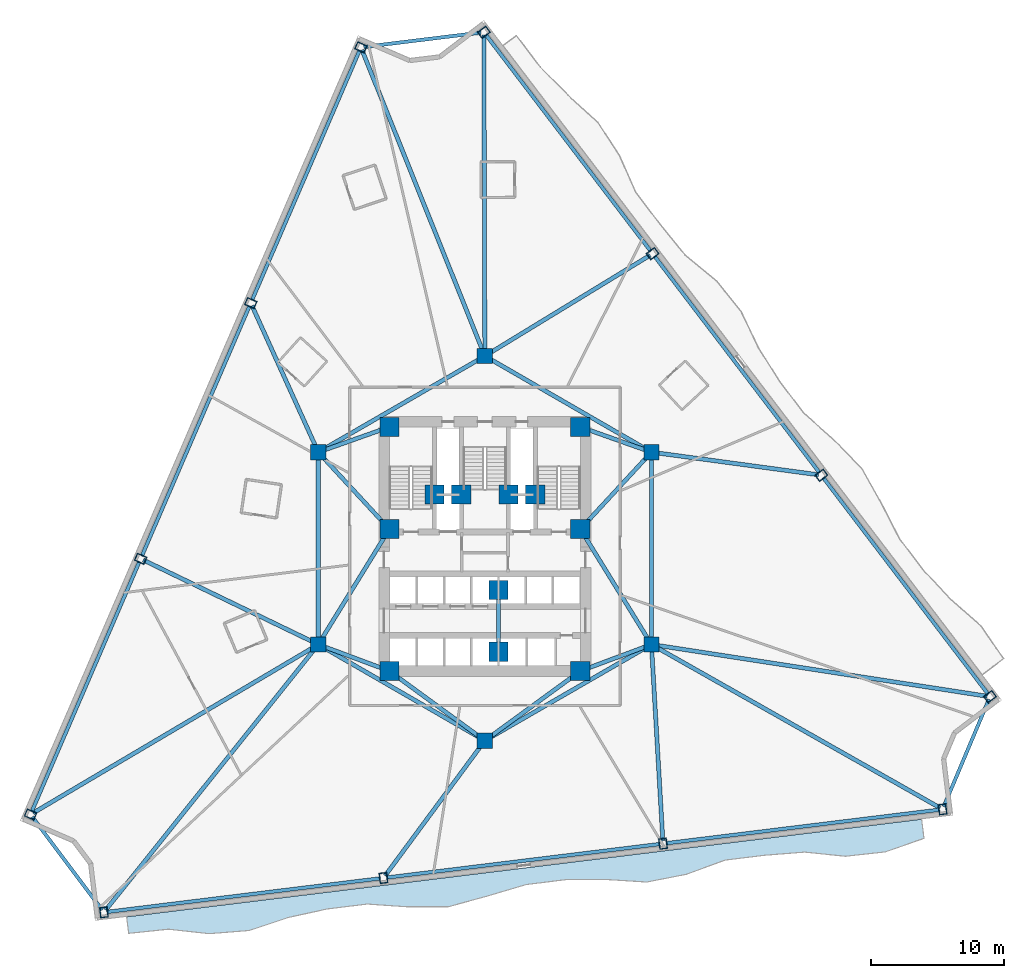
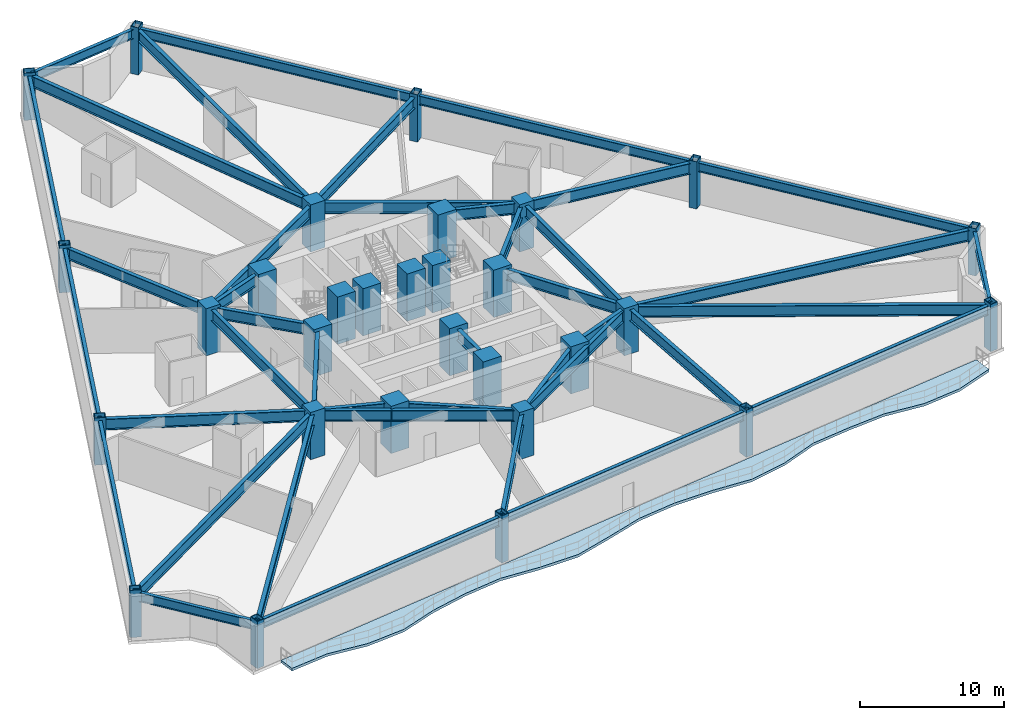
# One storey, part 1 of 10: 41 beams, 30 columns, 1 slab.
"""IFC4 building model written with IfcOpenShell, lengths in metres."""

from ifc_helpers import new_model, si_unit, direction, frame, origin, origin_2d, place, context, subcontext, project, spatial, polyline, rectangle, hollow_rectangle, i_section, outline, extrude, material, layer, layer_set, material_profile, profile_set, type_object, element, save


model = new_model("IFC4")

# Units and contexts
model_context = context("Model", 3, precision=1e-05, world=origin(), true_north=direction((0.0, 1.0)))
body_context = subcontext(model_context, "Body", "Model", "MODEL_VIEW")
ifc_project = project(units=[si_unit("LENGTHUNIT", "METRE"), si_unit("AREAUNIT", "SQUARE_METRE"), si_unit("VOLUMEUNIT", "CUBIC_METRE"), si_unit("PLANEANGLEUNIT", "RADIAN"), si_unit("MASSUNIT", "GRAM", prefix="KILO")], contexts=[model_context])

# Site, building, storey
site_placement = place(None, origin())
site = spatial("IfcSite", under=ifc_project, at=site_placement, CompositionType="ELEMENT")
building_placement = place(site_placement, origin())
building = spatial("IfcBuilding", under=site, at=building_placement, Name="Apsidion Concourse Tower", CompositionType="ELEMENT")
storey_placement = place(building_placement, frame((0.0, 0.0, 87.0)))
storey = spatial("IfcBuildingStorey", under=building, at=storey_placement, Name="L19", CompositionType="ELEMENT", Elevation=87.0)

# Columns
ifc_material_1 = material(Name="Structural steel ASTM A572 Grade 50", Category="steel")
ifc_material_profile_1 = material_profile(ifc_material_1, hollow_rectangle(XDim=0.60009765625, YDim=0.800048828125, WallThickness=0.050048828125, at=origin_2d()), Name="BOX800X600X50")
ifc_profile_set_1 = profile_set([ifc_material_profile_1], Name="Structural steel ASTM A572 Grade 50")
column_type_1 = type_object("IfcColumnType", Name="COL-BOX-800", PredefinedType="COLUMN", material=ifc_profile_set_1)
for number, where, z_axis, x_axis, name in (
    (1, (-9.34423828125, 37.77685546875, 0.0), (0.0, 0.0, 1.0), (0.395545502563, 0.918446381343, 0.0), "L19 Rotated Perimeter Column PC01"),
    (2, (-17.64794921875, 18.49462890625, 0.0), (0.0, 0.0, 1.0), (0.395545502563, 0.918446381343, 0.0), "L19 Rotated Perimeter Column PC02"),
    (3, (-25.95166015625, -0.787353515625, 0.0), (0.0, 0.0, 1.0), (0.395545502563, 0.918446381343, 0.0), "L19 Rotated Perimeter Column PC03"),
    (4, (-34.25537109375, -20.069580078125, 0.0), (0.0, 0.0, 1.0), (0.395545502563, 0.918446381343, 0.0), "L19 Rotated Perimeter Column PC04"),
    (5, (-28.72802734375, -27.4443359375, 0.0), (0.0, 0.0, 1.0), (0.992546151641, 0.121869343405, 0.0), "L19 Rotated Perimeter Column PC05"),
    (6, (-7.647216796875, -24.85595703125, 0.0), (0.0, 0.0, 1.0), (0.992546151641, 0.121869343405, 0.0), "L19 Rotated Perimeter Column PC06"),
    (7, (13.433349609375, -22.267578125, 0.0), (0.0, 0.0, 1.0), (0.992546151641, 0.121869343405, 0.0), "L19 Rotated Perimeter Column PC07"),
    (8, (34.51416015625, -19.67919921875, 0.0), (0.0, 0.0, 1.0), (0.992546151641, 0.121869343405, 0.0), "L19 Rotated Perimeter Column PC08"),
    (9, (38.093017578125, -11.186279296875, 0.0), (0.0, 0.0, 1.0), (-0.605988400266, 0.795473480855, 0.0), "L19 Rotated Perimeter Column PC09"),
    (10, (25.371337890625, 5.514404296875, 0.0), (0.0, 0.0, 1.0), (-0.605988400266, 0.795473480855, 0.0), "L19 Rotated Perimeter Column PC10"),
    (11, (12.6494140625, 22.214599609375, 0.0), (0.0, 0.0, 1.0), (-0.605988400266, 0.795473480855, 0.0), "L19 Rotated Perimeter Column PC11"),
    (12, (-0.072265625, 38.915283203125, 0.0), (0.0, 0.0, 1.0), (-0.605988400266, 0.795473480855, 0.0), "L19 Rotated Perimeter Column PC12"),
):
    element("IfcColumn", number, at=place(storey_placement, frame(where, z_axis=z_axis, x_axis=x_axis)), inside=storey, type_object=column_type_1, Name=name, PredefinedType="COLUMN", context=body_context, shape_type="SweptSolid", body=[
        extrude(hollow_rectangle(XDim=0.60009765625, YDim=0.800048828125, WallThickness=0.050048828125, at=origin_2d()), origin(), (0.0, 0.0, 1.0), 4.0),
    ])
ifc_material_2 = material(Name="Concrete C50/60", Category="concrete")
ifc_material_profile_2 = material_profile(ifc_material_2, rectangle(XDim=1.14990234375, YDim=1.14990234375, at=origin_2d()), Name="RC 1150x1150")
ifc_profile_set_2 = profile_set([ifc_material_profile_2], Name="Concrete C50/60")
column_type_2 = type_object("IfcColumnType", Name="COL-RC-1150", PredefinedType="COLUMN", material=ifc_profile_set_2)
for number, where, z_axis, x_axis, name in (
    (13, (-12.56005859375, -7.25, 0.0), (0.0, 0.0, 1.0), (1.0, 0.0, 0.0), "L19 Interior Spine Column IC1"),
    (14, (12.56005859375, -7.25, 0.0), (0.0, 0.0, 1.0), (1.0, 0.0, 0.0), "L19 Interior Spine Column IC2"),
    (15, (12.56005859375, 7.25, 0.0), (0.0, 0.0, 1.0), (1.0, 0.0, 0.0), "L19 Interior Spine Column IC3"),
    (16, (0.0, 14.5, 0.0), (0.0, 0.0, 1.0), (1.0, 0.0, 0.0), "L19 Interior Spine Column IC4"),
    (17, (-12.56005859375, 7.25, 0.0), (0.0, 0.0, 1.0), (1.0, 0.0, 0.0), "L19 Interior Spine Column IC5"),
    (18, (0.0, -14.5, 0.0), (0.0, 0.0, 1.0), (1.0, 0.0, 0.0), "L19 Interior Spine Column IC6"),
):
    element("IfcColumn", number, at=place(storey_placement, frame(where, z_axis=z_axis, x_axis=x_axis)), inside=storey, type_object=column_type_2, Name=name, PredefinedType="COLUMN", context=body_context, shape_type="SweptSolid", body=[
        extrude(rectangle(XDim=1.14990234375, YDim=1.14990234375, at=origin_2d()), origin(), (0.0, 0.0, 1.0), 4.0),
    ])
ifc_material_3 = material(Name="Concrete C60/75", Category="concrete")
ifc_material_profile_3 = material_profile(ifc_material_3, rectangle(XDim=1.449951171875, YDim=1.449951171875, at=origin_2d()), Name="RC 1450x1450")
ifc_profile_set_3 = profile_set([ifc_material_profile_3], Name="Concrete C60/75")
column_type_3 = type_object("IfcColumnType", Name="COL-RC-1450", PredefinedType="COLUMN", material=ifc_profile_set_3)
for number, where, z_axis, x_axis, name in (
    (19, (-7.199951171875, -9.25, 0.0), (0.0, 0.0, 1.0), (1.0, 0.0, 0.0), "L19 Core Super-Column SC1"),
    (20, (7.199951171875, -9.25, 0.0), (0.0, 0.0, 1.0), (1.0, 0.0, 0.0), "L19 Core Super-Column SC2"),
    (21, (7.199951171875, 1.449951171875, 0.0), (0.0, 0.0, 1.0), (1.0, 0.0, 0.0), "L19 Core Super-Column SC3"),
    (22, (7.199951171875, 9.14990234375, 0.0), (0.0, 0.0, 1.0), (1.0, 0.0, 0.0), "L19 Core Super-Column SC4"),
    (23, (-7.199951171875, 9.14990234375, 0.0), (0.0, 0.0, 1.0), (1.0, 0.0, 0.0), "L19 Core Super-Column SC5"),
    (24, (-7.199951171875, 1.449951171875, 0.0), (0.0, 0.0, 1.0), (1.0, 0.0, 0.0), "L19 Core Super-Column SC6"),
    (25, (-3.800048828125, 4.050048828125, 0.0), (0.0, 0.0, 1.0), (1.0, 0.0, 0.0), "L19 Core Super-Column CC1"),
    (26, (3.800048828125, 4.050048828125, 0.0), (0.0, 0.0, 1.0), (1.0, 0.0, 0.0), "L19 Core Super-Column CC2"),
    (27, (-1.77490234375, 4.050048828125, 0.0), (0.0, 0.0, 1.0), (1.0, 0.0, 0.0), "L19 Core Super-Column CC3"),
    (28, (1.77490234375, 4.050048828125, 0.0), (0.0, 0.0, 1.0), (1.0, 0.0, 0.0), "L19 Core Super-Column CC4"),
    (29, (1.02490234375, -3.14990234375, 0.0), (0.0, 0.0, 1.0), (1.0, 0.0, 0.0), "L19 Core Super-Column CC5"),
    (30, (1.02490234375, -7.800048828125, 0.0), (0.0, 0.0, 1.0), (1.0, 0.0, 0.0), "L19 Core Super-Column CC6"),
):
    element("IfcColumn", number, at=place(storey_placement, frame(where, z_axis=z_axis, x_axis=x_axis)), inside=storey, type_object=column_type_3, Name=name, PredefinedType="COLUMN", context=body_context, shape_type="SweptSolid", body=[
        extrude(rectangle(XDim=1.449951171875, YDim=1.449951171875, at=origin_2d()), origin(), (0.0, 0.0, 1.0), 4.0),
    ])

# Beams
ifc_material_4 = material(Name="Structural steel ASTM A992 Grade 50", Category="steel")
ifc_material_profile_4 = material_profile(ifc_material_4, i_section(OverallWidth=0.31005859375, OverallDepth=0.931884765625, WebThickness=0.02099609375, FlangeThickness=0.034423828125, at=origin_2d()), Name="W36X210")
ifc_profile_set_4 = profile_set([ifc_material_profile_4], Name="Structural steel ASTM A992 Grade 50")
beam_type_1 = type_object("IfcBeamType", Name="BM-G-W36", PredefinedType="USERDEFINED", material=ifc_profile_set_4)
beam_1_placement = place(storey_placement, frame((-12.185302734375, -7.389892578125, 3.283935546875), z_axis=(0.936913021145, -0.349562570664, 0.0), x_axis=(0.349562570664, 0.936913021145, 0.0)))
element("IfcBeam", 31, at=beam_1_placement, inside=storey, type_object=beam_type_1, Name="L19 Core Coupling Girder IC1-SC1", ObjectType="GIRDER", PredefinedType="USERDEFINED", context=body_context, shape_type="SweptSolid", body=[
    extrude(i_section(OverallWidth=0.31005859375, OverallDepth=0.931884765625, WebThickness=0.02099609375, FlangeThickness=0.034423828125, at=origin_2d()), origin(), (0.0, 0.0, 1.0), 4.921142578125),
])
beam_2_placement = place(storey_placement, frame((-12.35009765625, -6.909423828125, 3.283935546875), z_axis=(0.524524009763, 0.851395656074, 0.0), x_axis=(-0.851395656074, 0.524524009763, 0.0)))
element("IfcBeam", 32, at=beam_2_placement, inside=storey, type_object=beam_type_1, Name="L19 Core Coupling Girder IC1-SC6", ObjectType="GIRDER", PredefinedType="USERDEFINED", context=body_context, shape_type="SweptSolid", body=[
    extrude(i_section(OverallWidth=0.31005859375, OverallDepth=0.931884765625, WebThickness=0.02099609375, FlangeThickness=0.034423828125, at=origin_2d()), origin(), (0.0, 0.0, 1.0), 9.41845703125),
])
beam_3_placement = place(storey_placement, frame((12.185302734375, -7.389892578125, 3.283935546875), z_axis=(-0.936913021145, -0.349562570664, 0.0), x_axis=(0.349562570664, -0.936913021145, 0.0)))
element("IfcBeam", 33, at=beam_3_placement, inside=storey, type_object=beam_type_1, Name="L19 Core Coupling Girder IC2-SC2", ObjectType="GIRDER", PredefinedType="USERDEFINED", context=body_context, shape_type="SweptSolid", body=[
    extrude(i_section(OverallWidth=0.31005859375, OverallDepth=0.931884765625, WebThickness=0.02099609375, FlangeThickness=0.034423828125, at=origin_2d()), origin(), (0.0, 0.0, 1.0), 4.921142578125),
])
beam_4_placement = place(storey_placement, frame((12.35009765625, -6.909423828125, 3.283935546875), z_axis=(-0.524524009763, 0.851395656074, 0.0), x_axis=(-0.851395656074, -0.524524009763, 0.0)))
element("IfcBeam", 34, at=beam_4_placement, inside=storey, type_object=beam_type_1, Name="L19 Core Coupling Girder IC2-SC3", ObjectType="GIRDER", PredefinedType="USERDEFINED", context=body_context, shape_type="SweptSolid", body=[
    extrude(i_section(OverallWidth=0.31005859375, OverallDepth=0.931884765625, WebThickness=0.02099609375, FlangeThickness=0.034423828125, at=origin_2d()), origin(), (0.0, 0.0, 1.0), 9.41845703125),
])
beam_5_placement = place(storey_placement, frame((12.28857421875, 6.956298828125, 3.283935546875), z_axis=(-0.678712876106, -0.73440372535, 0.0), x_axis=(0.73440372535, -0.678712876106, 0.0)))
element("IfcBeam", 35, at=beam_5_placement, inside=storey, type_object=beam_type_1, Name="L19 Core Coupling Girder IC3-SC3", ObjectType="GIRDER", PredefinedType="USERDEFINED", context=body_context, shape_type="SweptSolid", body=[
    extrude(i_section(OverallWidth=0.31005859375, OverallDepth=0.931884765625, WebThickness=0.02099609375, FlangeThickness=0.034423828125, at=origin_2d()), origin(), (0.0, 0.0, 1.0), 7.097412109375),
])
beam_6_placement = place(storey_placement, frame((12.18310546875, 7.383544921875, 3.283935546875), z_axis=(-0.942533844539, 0.334110688094, 0.0), x_axis=(-0.334110688094, -0.942533844539, 0.0)))
element("IfcBeam", 36, at=beam_6_placement, inside=storey, type_object=beam_type_1, Name="L19 Core Coupling Girder IC3-SC4", ObjectType="GIRDER", PredefinedType="USERDEFINED", context=body_context, shape_type="SweptSolid", body=[
    extrude(i_section(OverallWidth=0.31005859375, OverallDepth=0.931884765625, WebThickness=0.02099609375, FlangeThickness=0.034423828125, at=origin_2d()), origin(), (0.0, 0.0, 1.0), 4.886962890625),
])
beam_7_placement = place(storey_placement, frame((-12.28857421875, 6.956298828125, 3.283935546875), z_axis=(0.678712876106, -0.73440372535, 0.0), x_axis=(0.73440372535, 0.678712876106, 0.0)))
element("IfcBeam", 37, at=beam_7_placement, inside=storey, type_object=beam_type_1, Name="L19 Core Coupling Girder IC5-SC6", ObjectType="GIRDER", PredefinedType="USERDEFINED", context=body_context, shape_type="SweptSolid", body=[
    extrude(i_section(OverallWidth=0.31005859375, OverallDepth=0.931884765625, WebThickness=0.02099609375, FlangeThickness=0.034423828125, at=origin_2d()), origin(), (0.0, 0.0, 1.0), 7.097412109375),
])
beam_8_placement = place(storey_placement, frame((-12.18310546875, 7.383544921875, 3.283935546875), z_axis=(0.942533844539, 0.334110688094, 0.0), x_axis=(-0.334110688094, 0.942533844539, 0.0)))
element("IfcBeam", 38, at=beam_8_placement, inside=storey, type_object=beam_type_1, Name="L19 Core Coupling Girder IC5-SC5", ObjectType="GIRDER", PredefinedType="USERDEFINED", context=body_context, shape_type="SweptSolid", body=[
    extrude(i_section(OverallWidth=0.31005859375, OverallDepth=0.931884765625, WebThickness=0.02099609375, FlangeThickness=0.034423828125, at=origin_2d()), origin(), (0.0, 0.0, 1.0), 4.886962890625),
])
for number, where, z_axis, x_axis, name in (
    (39, (-0.3232421875, -14.264404296875, 3.283935546875), (-0.807993498909, 0.589191399905, 0.0), (-0.589191399905, -0.807993498909, 0.0), "L19 Core Coupling Girder IC6-SC1"),
    (40, (0.3232421875, -14.264404296875, 3.283935546875), (0.807993498909, 0.589191399905, 0.0), (-0.589191399905, 0.807993498909, 0.0), "L19 Core Coupling Girder IC6-SC2"),
):
    element("IfcBeam", number, at=place(storey_placement, frame(where, z_axis=z_axis, x_axis=x_axis)), inside=storey, type_object=beam_type_1, Name=name, ObjectType="GIRDER", PredefinedType="USERDEFINED", context=body_context, shape_type="SweptSolid", body=[
        extrude(i_section(OverallWidth=0.31005859375, OverallDepth=0.931884765625, WebThickness=0.02099609375, FlangeThickness=0.034423828125, at=origin_2d()), origin(), (0.0, 0.0, 1.0), 8.11083984375),
    ])
beam_9_placement = place(storey_placement, frame((-12.56005859375, -6.85009765625, 3.283935546875), z_axis=(0.0, 1.0, 0.0), x_axis=(-1.0, 0.0, 0.0)))
element("IfcBeam", 41, at=beam_9_placement, inside=storey, type_object=beam_type_1, Name="L19 Core Coupling Girder IC1-IC5", ObjectType="GIRDER", PredefinedType="USERDEFINED", context=body_context, shape_type="SweptSolid", body=[
    extrude(i_section(OverallWidth=0.31005859375, OverallDepth=0.931884765625, WebThickness=0.02099609375, FlangeThickness=0.034423828125, at=origin_2d()), origin(), (0.0, 0.0, 1.0), 13.7001953125),
])
for number, where, z_axis, x_axis, name in (
    (42, (-12.213623046875, 7.449951171875, 3.283935546875), (0.866070471464, 0.499921932364, 0.0), (-0.499921932364, 0.866070471464, 0.0), "L19 Core Coupling Girder IC5-IC4"),
    (43, (0.346435546875, 14.300048828125, 3.283935546875), (0.866070471464, -0.499921932364, 0.0), (0.499921932364, 0.866070471464, 0.0), "L19 Core Coupling Girder IC4-IC3"),
):
    element("IfcBeam", number, at=place(storey_placement, frame(where, z_axis=z_axis, x_axis=x_axis)), inside=storey, type_object=beam_type_1, Name=name, ObjectType="GIRDER", PredefinedType="USERDEFINED", context=body_context, shape_type="SweptSolid", body=[
        extrude(i_section(OverallWidth=0.31005859375, OverallDepth=0.931884765625, WebThickness=0.02099609375, FlangeThickness=0.034423828125, at=origin_2d()), origin(), (0.0, 0.0, 1.0), 13.702392578125),
    ])
beam_10_placement = place(storey_placement, frame((12.56005859375, 6.85009765625, 3.283935546875), z_axis=(0.0, -1.0, 0.0), x_axis=(1.0, 0.0, 0.0)))
element("IfcBeam", 44, at=beam_10_placement, inside=storey, type_object=beam_type_1, Name="L19 Core Coupling Girder IC3-IC2", ObjectType="GIRDER", PredefinedType="USERDEFINED", context=body_context, shape_type="SweptSolid", body=[
    extrude(i_section(OverallWidth=0.31005859375, OverallDepth=0.931884765625, WebThickness=0.02099609375, FlangeThickness=0.034423828125, at=origin_2d()), origin(), (0.0, 0.0, 1.0), 13.7001953125),
])
for number, where, z_axis, x_axis, name in (
    (45, (12.213623046875, -7.449951171875, 3.283935546875), (-0.866070471464, -0.499921932364, 0.0), (0.499921932364, -0.866070471464, 0.0), "L19 Core Coupling Girder IC2-IC6"),
    (46, (-0.346435546875, -14.300048828125, 3.283935546875), (-0.866070471464, 0.499921932364, 0.0), (-0.499921932364, -0.866070471464, 0.0), "L19 Core Coupling Girder IC6-IC1"),
):
    element("IfcBeam", number, at=place(storey_placement, frame(where, z_axis=z_axis, x_axis=x_axis)), inside=storey, type_object=beam_type_1, Name=name, ObjectType="GIRDER", PredefinedType="USERDEFINED", context=body_context, shape_type="SweptSolid", body=[
        extrude(i_section(OverallWidth=0.31005859375, OverallDepth=0.931884765625, WebThickness=0.02099609375, FlangeThickness=0.034423828125, at=origin_2d()), origin(), (0.0, 0.0, 1.0), 13.702392578125),
    ])
beam_11_placement = place(storey_placement, frame((1.02490234375, -3.550048828125, 3.283935546875), z_axis=(0.0, -1.0, 0.0), x_axis=(1.0, 0.0, 0.0)))
element("IfcBeam", 47, at=beam_11_placement, inside=storey, type_object=beam_type_1, Name="L19 Core Coupling Girder CC5-CC6", ObjectType="GIRDER", PredefinedType="USERDEFINED", context=body_context, shape_type="SweptSolid", body=[
    extrude(i_section(OverallWidth=0.31005859375, OverallDepth=0.931884765625, WebThickness=0.02099609375, FlangeThickness=0.034423828125, at=origin_2d()), origin(), (0.0, 0.0, 1.0), 3.849853515625),
])
beam_12_placement = place(storey_placement, frame((-0.08203125, 14.7041015625, 3.283935546875), z_axis=(-0.372538285094, 0.928016824276, 0.0), x_axis=(-0.928016824276, -0.372538285094, 0.0)))
element("IfcBeam", 48, at=beam_12_placement, inside=storey, type_object=beam_type_1, Name="L19 Radial Floor Girder RAD-01", ObjectType="GIRDER", PredefinedType="USERDEFINED", context=body_context, shape_type="SweptSolid", body=[
    extrude(i_section(OverallWidth=0.31005859375, OverallDepth=0.931884765625, WebThickness=0.02099609375, FlangeThickness=0.034423828125, at=origin_2d()), origin(), (0.0, 0.0, 1.0), 24.642333984375),
])
beam_13_placement = place(storey_placement, frame((-12.650634765625, 7.450439453125, 3.283935546875), z_axis=(-0.412253816474, 0.911069037342, 0.0), x_axis=(-0.911069037342, -0.412253816474, 0.0)))
element("IfcBeam", 49, at=beam_13_placement, inside=storey, type_object=beam_type_1, Name="L19 Radial Floor Girder RAD-02", ObjectType="GIRDER", PredefinedType="USERDEFINED", context=body_context, shape_type="SweptSolid", body=[
    extrude(i_section(OverallWidth=0.31005859375, OverallDepth=0.931884765625, WebThickness=0.02099609375, FlangeThickness=0.034423828125, at=origin_2d()), origin(), (0.0, 0.0, 1.0), 11.90234375),
])
beam_14_placement = place(storey_placement, frame((-12.758056640625, -7.154296875, 3.283935546875), z_axis=(-0.900619466143, 0.434608533286, 0.0), x_axis=(-0.434608533286, -0.900619466143, 0.0)))
element("IfcBeam", 50, at=beam_14_placement, inside=storey, type_object=beam_type_1, Name="L19 Radial Floor Girder RAD-03", ObjectType="GIRDER", PredefinedType="USERDEFINED", context=body_context, shape_type="SweptSolid", body=[
    extrude(i_section(OverallWidth=0.31005859375, OverallDepth=0.931884765625, WebThickness=0.02099609375, FlangeThickness=0.034423828125, at=origin_2d()), origin(), (0.0, 0.0, 1.0), 14.4296875),
])
beam_15_placement = place(storey_placement, frame((-12.74951171875, -7.36181640625, 3.283935546875), z_axis=(-0.860932809824, -0.508718681561, 0.0), x_axis=(0.508718681561, -0.860932809824, 0.0)))
element("IfcBeam", 51, at=beam_15_placement, inside=storey, type_object=beam_type_1, Name="L19 Radial Floor Girder RAD-04", ObjectType="GIRDER", PredefinedType="USERDEFINED", context=body_context, shape_type="SweptSolid", body=[
    extrude(i_section(OverallWidth=0.31005859375, OverallDepth=0.931884765625, WebThickness=0.02099609375, FlangeThickness=0.034423828125, at=origin_2d()), origin(), (0.0, 0.0, 1.0), 24.759765625),
])
beam_16_placement = place(storey_placement, frame((-12.697509765625, -7.421630859375, 3.283935546875), z_axis=(-0.624987708563, -0.780634590667, 0.0), x_axis=(0.780634590667, -0.624987708563, 0.0)))
element("IfcBeam", 52, at=beam_16_placement, inside=storey, type_object=beam_type_1, Name="L19 Radial Floor Girder RAD-05", ObjectType="GIRDER", PredefinedType="USERDEFINED", context=body_context, shape_type="SweptSolid", body=[
    extrude(i_section(OverallWidth=0.31005859375, OverallDepth=0.931884765625, WebThickness=0.02099609375, FlangeThickness=0.034423828125, at=origin_2d()), origin(), (0.0, 0.0, 1.0), 25.429443359375),
])
beam_17_placement = place(storey_placement, frame((-0.130615234375, -14.677001953125, 3.283935546875), z_axis=(-0.594039313688, -0.804436009757, 0.0), x_axis=(0.804436009757, -0.594039313688, 0.0)))
element("IfcBeam", 53, at=beam_17_placement, inside=storey, type_object=beam_type_1, Name="L19 Radial Floor Girder RAD-06", ObjectType="GIRDER", PredefinedType="USERDEFINED", context=body_context, shape_type="SweptSolid", body=[
    extrude(i_section(OverallWidth=0.31005859375, OverallDepth=0.931884765625, WebThickness=0.02099609375, FlangeThickness=0.034423828125, at=origin_2d()), origin(), (0.0, 0.0, 1.0), 12.43359375),
])
beam_18_placement = place(storey_placement, frame((12.57275390625, -7.469482421875, 3.283935546875), z_axis=(0.058062445762, -0.998312953133, 0.0), x_axis=(0.998312953133, 0.058062445762, 0.0)))
element("IfcBeam", 54, at=beam_18_placement, inside=storey, type_object=beam_type_1, Name="L19 Radial Floor Girder RAD-07", ObjectType="GIRDER", PredefinedType="USERDEFINED", context=body_context, shape_type="SweptSolid", body=[
    extrude(i_section(OverallWidth=0.31005859375, OverallDepth=0.931884765625, WebThickness=0.02099609375, FlangeThickness=0.034423828125, at=origin_2d()), origin(), (0.0, 0.0, 1.0), 14.603271484375),
])
beam_19_placement = place(storey_placement, frame((12.75146484375, -7.3583984375, 3.283935546875), z_axis=(0.870218136179, -0.492666616958, 0.0), x_axis=(0.492666616958, 0.870218136179, 0.0)))
element("IfcBeam", 55, at=beam_19_placement, inside=storey, type_object=beam_type_1, Name="L19 Radial Floor Girder RAD-08", ObjectType="GIRDER", PredefinedType="USERDEFINED", context=body_context, shape_type="SweptSolid", body=[
    extrude(i_section(OverallWidth=0.31005859375, OverallDepth=0.931884765625, WebThickness=0.02099609375, FlangeThickness=0.034423828125, at=origin_2d()), origin(), (0.0, 0.0, 1.0), 24.788330078125),
])
beam_20_placement = place(storey_placement, frame((12.77734375, -7.283447265625, 3.283935546875), z_axis=(0.98832519419, -0.152359149806, 0.0), x_axis=(0.152359149806, 0.98832519419, 0.0)))
element("IfcBeam", 56, at=beam_20_placement, inside=storey, type_object=beam_type_1, Name="L19 Radial Floor Girder RAD-09", ObjectType="GIRDER", PredefinedType="USERDEFINED", context=body_context, shape_type="SweptSolid", body=[
    extrude(i_section(OverallWidth=0.31005859375, OverallDepth=0.931884765625, WebThickness=0.02099609375, FlangeThickness=0.034423828125, at=origin_2d()), origin(), (0.0, 0.0, 1.0), 25.394775390625),
])
beam_21_placement = place(storey_placement, frame((12.778076171875, 7.220458984375, 3.283935546875), z_axis=(0.990945318587, -0.134266062618, 0.0), x_axis=(0.134266062618, 0.990945318587, 0.0)))
element("IfcBeam", 57, at=beam_21_placement, inside=storey, type_object=beam_type_1, Name="L19 Radial Floor Girder RAD-10", ObjectType="GIRDER", PredefinedType="USERDEFINED", context=body_context, shape_type="SweptSolid", body=[
    extrude(i_section(OverallWidth=0.31005859375, OverallDepth=0.931884765625, WebThickness=0.02099609375, FlangeThickness=0.034423828125, at=origin_2d()), origin(), (0.0, 0.0, 1.0), 12.48828125),
])
beam_22_placement = place(storey_placement, frame((0.187744140625, 14.614501953125, 3.283935546875), z_axis=(0.853749961822, 0.520683207611, 0.0), x_axis=(-0.520683207611, 0.853749961822, 0.0)))
element("IfcBeam", 58, at=beam_22_placement, inside=storey, type_object=beam_type_1, Name="L19 Radial Floor Girder RAD-11", ObjectType="GIRDER", PredefinedType="USERDEFINED", context=body_context, shape_type="SweptSolid", body=[
    extrude(i_section(OverallWidth=0.31005859375, OverallDepth=0.931884765625, WebThickness=0.02099609375, FlangeThickness=0.034423828125, at=origin_2d()), origin(), (0.0, 0.0, 1.0), 14.37646484375),
])
beam_23_placement = place(storey_placement, frame((-0.000732421875, 14.719970703125, 3.283935546875), z_axis=(-0.002953053731, 0.999995639727, 0.0), x_axis=(-0.999995639727, -0.002953053731, 0.0)))
element("IfcBeam", 59, at=beam_23_placement, inside=storey, type_object=beam_type_1, Name="L19 Radial Floor Girder RAD-12", ObjectType="GIRDER", PredefinedType="USERDEFINED", context=body_context, shape_type="SweptSolid", body=[
    extrude(i_section(OverallWidth=0.31005859375, OverallDepth=0.931884765625, WebThickness=0.02099609375, FlangeThickness=0.034423828125, at=origin_2d()), origin(), (0.0, 0.0, 1.0), 23.975341796875),
])
ifc_material_profile_5 = material_profile(ifc_material_4, i_section(OverallWidth=0.26806640625, OverallDepth=0.77001953125, WebThickness=0.015625, FlangeThickness=0.025390625, at=origin_2d()), Name="W30X132")
ifc_profile_set_5 = profile_set([ifc_material_profile_5], Name="Structural steel ASTM A992 Grade 50")
beam_type_2 = type_object("IfcBeamType", Name="BM-SP-W30", PredefinedType="SPANDREL", material=ifc_profile_set_5)
beam_24_placement = place(storey_placement, frame((-9.431396484375, 37.57470703125, 3.364990234375), z_axis=(-0.395525708749, -0.918454905653, 0.0), x_axis=(0.918454905653, -0.395525708749, 0.0)))
element("IfcBeam", 60, at=beam_24_placement, inside=storey, type_object=beam_type_2, Name="L19 Perimeter Spandrel Girder SP-01", PredefinedType="SPANDREL", context=body_context, shape_type="SweptSolid", body=[
    extrude(i_section(OverallWidth=0.26806640625, OverallDepth=0.77001953125, WebThickness=0.015625, FlangeThickness=0.025390625, at=origin_2d()), origin(), (0.0, 0.0, 1.0), 20.553955078125),
])
beam_25_placement = place(storey_placement, frame((-17.735107421875, 18.29248046875, 3.364990234375), z_axis=(-0.395530023745, -0.918453047421, 0.0), x_axis=(0.918453047421, -0.395530023745, 0.0)))
element("IfcBeam", 61, at=beam_25_placement, inside=storey, type_object=beam_type_2, Name="L19 Perimeter Spandrel Girder SP-02", PredefinedType="SPANDREL", context=body_context, shape_type="SweptSolid", body=[
    extrude(i_section(OverallWidth=0.26806640625, OverallDepth=0.77001953125, WebThickness=0.015625, FlangeThickness=0.025390625, at=origin_2d()), origin(), (0.0, 0.0, 1.0), 20.5537109375),
])
beam_26_placement = place(storey_placement, frame((-26.038818359375, -0.989501953125, 3.364990234375), z_axis=(-0.395525708749, -0.918454905653, 0.0), x_axis=(0.918454905653, -0.395525708749, 0.0)))
element("IfcBeam", 62, at=beam_26_placement, inside=storey, type_object=beam_type_2, Name="L19 Perimeter Spandrel Girder SP-03", PredefinedType="SPANDREL", context=body_context, shape_type="SweptSolid", body=[
    extrude(i_section(OverallWidth=0.26806640625, OverallDepth=0.77001953125, WebThickness=0.015625, FlangeThickness=0.025390625, at=origin_2d()), origin(), (0.0, 0.0, 1.0), 20.553955078125),
])
beam_27_placement = place(storey_placement, frame((-34.12353515625, -20.24560546875, 3.364990234375), z_axis=(0.59973736177, -0.800196911327, 0.0), x_axis=(0.800196911327, 0.59973736177, 0.0)))
element("IfcBeam", 63, at=beam_27_placement, inside=storey, type_object=beam_type_2, Name="L19 Perimeter Spandrel Girder SP-04", PredefinedType="SPANDREL", context=body_context, shape_type="SweptSolid", body=[
    extrude(i_section(OverallWidth=0.26806640625, OverallDepth=0.77001953125, WebThickness=0.015625, FlangeThickness=0.025390625, at=origin_2d()), origin(), (0.0, 0.0, 1.0), 8.776123046875),
])
for number, where, z_axis, x_axis, name in (
    (64, (-28.509765625, -27.41748046875, 3.364990234375), (0.992546743565, 0.121864522478, 0.0), (-0.121864522478, 0.992546743565, 0.0), "L19 Perimeter Spandrel Girder SP-05"),
    (65, (-7.428955078125, -24.8291015625, 3.364990234375), (0.992546743565, 0.121864522478, 0.0), (-0.121864522478, 0.992546743565, 0.0), "L19 Perimeter Spandrel Girder SP-06"),
    (66, (13.65185546875, -22.24072265625, 3.364990234375), (0.992546743565, 0.121864522478, 0.0), (-0.121864522478, 0.992546743565, 0.0), "L19 Perimeter Spandrel Girder SP-07"),
):
    element("IfcBeam", number, at=place(storey_placement, frame(where, z_axis=z_axis, x_axis=x_axis)), inside=storey, type_object=beam_type_2, Name=name, PredefinedType="SPANDREL", context=body_context, shape_type="SweptSolid", body=[
        extrude(i_section(OverallWidth=0.26806640625, OverallDepth=0.77001953125, WebThickness=0.015625, FlangeThickness=0.025390625, at=origin_2d()), origin(), (0.0, 0.0, 1.0), 20.799072265625),
    ])
beam_28_placement = place(storey_placement, frame((34.599609375, -19.4765625, 3.364990234375), z_axis=(0.388335552383, 0.921518040385, 0.0), x_axis=(-0.921518040385, 0.388335552383, 0.0)))
element("IfcBeam", 67, at=beam_28_placement, inside=storey, type_object=beam_type_2, Name="L19 Perimeter Spandrel Girder SP-08", PredefinedType="SPANDREL", context=body_context, shape_type="SweptSolid", body=[
    extrude(i_section(OverallWidth=0.26806640625, OverallDepth=0.77001953125, WebThickness=0.015625, FlangeThickness=0.025390625, at=origin_2d()), origin(), (0.0, 0.0, 1.0), 8.7763671875),
])
for number, where, z_axis, x_axis, name in (
    (68, (37.959716796875, -11.01123046875, 3.364990234375), (-0.605965911945, 0.795490611862, 0.0), (-0.795490611862, -0.605965911945, 0.0), "L19 Perimeter Spandrel Girder SP-09"),
    (69, (25.238037109375, 5.689208984375, 3.364990234375), (-0.605973428299, 0.795484886215, 0.0), (-0.795484886215, -0.605973428299, 0.0), "L19 Perimeter Spandrel Girder SP-10"),
    (70, (12.51611328125, 22.3896484375, 3.364990234375), (-0.605965911945, 0.795490611862, 0.0), (-0.795490611862, -0.605965911945, 0.0), "L19 Perimeter Spandrel Girder SP-11"),
):
    element("IfcBeam", number, at=place(storey_placement, frame(where, z_axis=z_axis, x_axis=x_axis)), inside=storey, type_object=beam_type_2, Name=name, PredefinedType="SPANDREL", context=body_context, shape_type="SweptSolid", body=[
        extrude(i_section(OverallWidth=0.26806640625, OverallDepth=0.77001953125, WebThickness=0.015625, FlangeThickness=0.025390625, at=origin_2d()), origin(), (0.0, 0.0, 1.0), 20.55419921875),
    ])
beam_29_placement = place(storey_placement, frame((-0.290771484375, 38.888427734375, 3.364990234375), z_axis=(-0.992547646047, -0.121857171831, 0.0), x_axis=(0.121857171831, -0.992547646047, 0.0)))
element("IfcBeam", 71, at=beam_29_placement, inside=storey, type_object=beam_type_2, Name="L19 Perimeter Spandrel Girder SP-12", PredefinedType="SPANDREL", context=body_context, shape_type="SweptSolid", body=[
    extrude(i_section(OverallWidth=0.26806640625, OverallDepth=0.77001953125, WebThickness=0.015625, FlangeThickness=0.025390625, at=origin_2d()), origin(), (0.0, 0.0, 1.0), 8.901611328125),
])

# Slab
ifc_layer = layer(ifc_material_2, 0.219970703125)
ifc_layer_set = layer_set([ifc_layer], Name="Concrete C50/60")
slab_type = type_object("IfcSlabType", Name="SL-BAL-220", PredefinedType="FLOOR", material=ifc_layer_set)
slab_placement = place(storey_placement, frame((0.0, 0.0, -0.219970703125)))
element("IfcSlab", 72, at=slab_placement, inside=storey, type_object=slab_type, Name="L19 Face 2 Rippling Balcony Slab", PredefinedType="FLOOR", context=body_context, shape_type="SweptSolid", body=[
    extrude(outline(polyline([(-27.01171875, -27.78759765625), (-24.014404296875, -27.419677734375), (-21.017333984375, -27.0517578125), (-18.02001953125, -26.68359375), (-15.02294921875, -26.315673828125), (-12.02587890625, -25.94775390625), (-9.028564453125, -25.57958984375), (-6.031494140625, -25.211669921875), (-3.0341796875, -24.84375), (-0.037109375, -24.4755859375), (2.9599609375, -24.107666015625), (5.957275390625, -23.73974609375), (8.954345703125, -23.37158203125), (11.951416015625, -23.003662109375), (14.94873046875, -22.6357421875), (17.94580078125, -22.267578125), (20.943115234375, -21.899658203125), (23.940185546875, -21.53173828125), (26.9375, -21.163818359375), (29.9345703125, -20.795654296875), (32.931640625, -20.427734375), (33.1083984375, -21.86669921875), (30.19140625, -22.8876953125), (27.189453125, -23.21728515625), (24.108642578125, -22.9033203125), (21.095458984375, -23.140380859375), (18.09814453125, -23.50830078125), (15.187255859375, -24.578369140625), (12.21630859375, -25.159912109375), (9.150634765625, -24.969970703125), (6.109619140625, -24.98046875), (3.1123046875, -25.348388671875), (0.177001953125, -26.218994140625), (-2.766357421875, -27.026123046875), (-5.808349609375, -27.02880859375), (-8.876220703125, -26.8203125), (-11.873291015625, -27.1884765625), (-14.83642578125, -27.834228515625), (-17.7587890625, -28.812255859375), (-20.771484375, -29.05322265625), (-23.855224609375, -28.7158203125), (-26.859375, -29.0283203125), (-27.01171875, -27.78759765625)])), origin(), (0.0, 0.0, 1.0), 0.219970703125),
])

save(model, "model.ifc")
